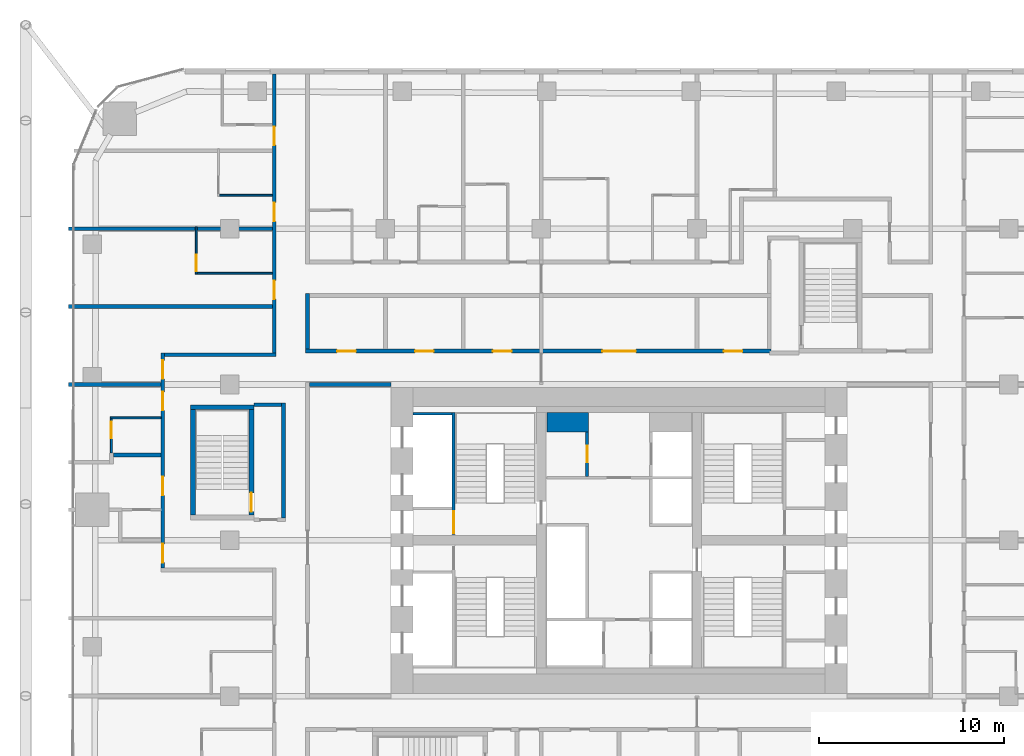
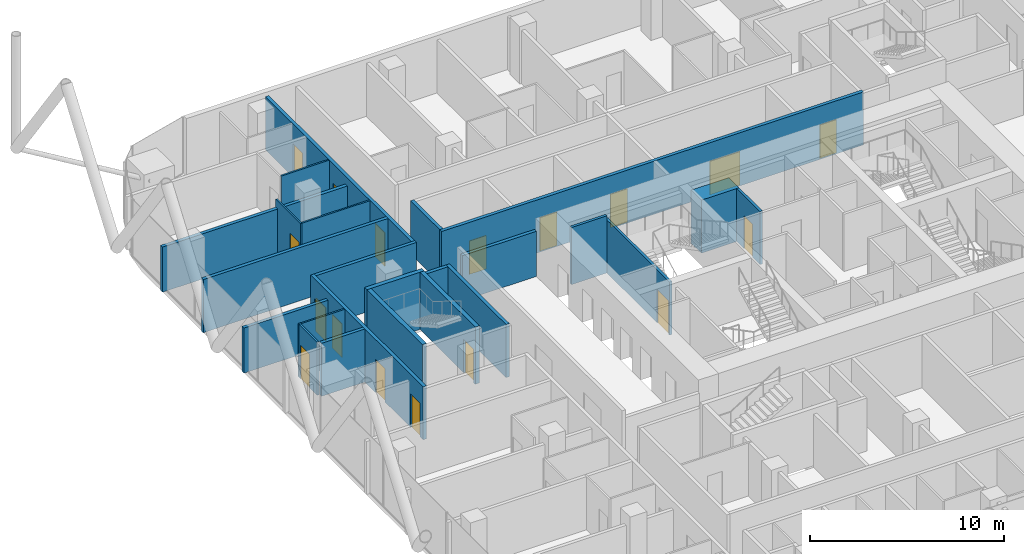
# One storey, part 29 of 35: 24 walls, 17 doors, 17 openings.
"""IFC4 building model written with IfcOpenShell, lengths in metres."""

from ifc_helpers import new_model, si_unit, direction, frame, frame_2d, origin, place, context, subcontext, project, spatial, rectangle, extrude, material, layer, layer_set, type_object, element, fill, save


model = new_model("IFC4")

# Units and contexts
model_context = context("Model", 3, precision=1e-05, world=origin(), true_north=direction((0.0, 1.0)))
body_context = subcontext(model_context, "Body", "Model", "MODEL_VIEW")
ifc_project = project(units=[si_unit("LENGTHUNIT", "METRE"), si_unit("AREAUNIT", "SQUARE_METRE"), si_unit("VOLUMEUNIT", "CUBIC_METRE"), si_unit("PLANEANGLEUNIT", "RADIAN"), si_unit("MASSUNIT", "GRAM", prefix="KILO")], contexts=[model_context])

# Site, building, storey
site_placement = place(None, origin())
site = spatial("IfcSite", under=ifc_project, at=site_placement, CompositionType="ELEMENT")
building_placement = place(site_placement, origin())
building = spatial("IfcBuilding", under=site, at=building_placement, Name="Marenta Gate Hotel Tower", CompositionType="ELEMENT")
storey_placement = place(building_placement, frame((0.0, 0.0, 61.699951171875)))
storey = spatial("IfcBuildingStorey", under=building, at=storey_placement, Name="L13", CompositionType="ELEMENT", Elevation=61.699951171875)

# Walls
ifc_material_1 = material(Name="Concrete blockwork", Category="masonry")
ifc_layer_1 = layer(ifc_material_1, 0.199951171875)
ifc_layer_set_1 = layer_set([ifc_layer_1], Name="Concrete blockwork")
wall_type_1 = type_object("IfcWallType", Name="Core boundary wall 200 REI 180", PredefinedType="PARTITIONING", material=ifc_layer_set_1)
wall_1_placement = place(storey_placement, frame((-16.699951171875, 16.800048828125, 0.0), z_axis=(0.0, 0.0, 1.0), x_axis=(1.0, 0.0, 0.0)))
element("IfcWall", 1, at=wall_1_placement, inside=storey, type_object=wall_type_1, Name="L13-CP-EW-WN", PredefinedType="PARTITIONING", context=body_context, shape_type="SweptSolid", body=[
    extrude(rectangle(XDim=4.39990234375, YDim=0.199951171875, at=frame_2d((2.199951171875, 0.0))), origin(), (0.0, 0.0, 1.0), 2.840087890625),
])
ifc_material_2 = material(Name="Concrete blockwork", Category="masonry")
ifc_layer_2 = layer(ifc_material_2, 1.050048828125)
ifc_layer_set_2 = layer_set([ifc_layer_2], Name="Concrete blockwork")
wall_type_2 = type_object("IfcWallType", Name="Core room partition 1050 REI 180", PredefinedType="PARTITIONING", material=ifc_layer_set_2)
wall_2_placement = place(storey_placement, frame((-3.89990234375, 14.77490234375, 0.0), z_axis=(0.0, 0.0, 1.0), x_axis=(1.0, 0.0, 0.0)))
element("IfcWall", 2, at=wall_2_placement, inside=storey, type_object=wall_type_2, Name="L13-CP-CW-W-riser-N", PredefinedType="PARTITIONING", context=body_context, shape_type="SweptSolid", body=[
    extrude(rectangle(XDim=2.25, YDim=1.050048828125, at=frame_2d((1.125, 0.0))), origin(), (0.0, 0.0, 1.0), 3.340087890625),
])

# Wall, opening, door
ifc_material_3 = material(Name="Concrete blockwork", Category="masonry")
ifc_layer_3 = layer(ifc_material_3, 0.14990234375)
ifc_layer_set_3 = layer_set([ifc_layer_3], Name="Concrete blockwork")
wall_type_3 = type_object("IfcWallType", Name="Core room partition 150 REI 180", PredefinedType="PARTITIONING", material=ifc_layer_set_3)
wall_3_placement = place(storey_placement, frame((-1.72509765625, 11.85009765625, 0.0), z_axis=(0.0, 0.0, 1.0), x_axis=(0.0, 1.0, 0.0)))
wall_3 = element("IfcWall", 3, at=wall_3_placement, inside=storey, type_object=wall_type_3, Name="L13-CP-CW-W-riser-front", PredefinedType="PARTITIONING", context=body_context, shape_type="SweptSolid", body=[
    extrude(rectangle(XDim=2.39990234375, YDim=0.14990234375, at=frame_2d((1.199951171875, 0.0))), origin(), (0.0, 0.0, 1.0), 3.340087890625),
])
opening_1_placement = place(wall_3_placement, frame((0.75, 0.0, 0.0)))
opening_1 = element("IfcOpeningElement", 4, at=opening_1_placement, cuts=wall_3, Name="Opening RD-CRISER", PredefinedType="OPENING", context=body_context, shape_type="SweptSolid", body=[
    extrude(rectangle(XDim=0.89990234375, YDim=2.10009765625, at=frame_2d((0.449951171875, 1.050048828125))), frame((0.0, 0.074951171875, 0.0), z_axis=(0.0, -1.0, 0.0), x_axis=(1.0, 0.0, 0.0)), (0.0, 0.0, 1.0), 0.14990234375),
])
ifc_material_4 = material(Name="Steel", Category="steel")
door_type_1 = type_object("IfcDoorType", Name="Core riser door 900x2100 FD60", OperationType="SINGLE_SWING_LEFT", PredefinedType="DOOR", material=ifc_material_4)
door_1_placement = place(opening_1_placement, origin())
door_1 = element("IfcDoor", 5, at=door_1_placement, inside=storey, type_object=door_type_1, Name="RD-CRISER", OperationType="SINGLE_SWING_LEFT", OverallHeight=2.10009765625, OverallWidth=0.89990234375, PredefinedType="DOOR", context=body_context, shape_type="SweptSolid", body=[
    extrude(rectangle(XDim=0.89990234375, YDim=2.10009765625, at=frame_2d((0.449951171875, 1.050048828125))), frame((0.0, 0.02490234375, 0.0), z_axis=(0.0, -1.0, 0.0), x_axis=(1.0, 0.0, 0.0)), (0.0, 0.0, 1.0), 0.050048828125),
])
fill(opening_1, door_1)

# Wall
ifc_material_5 = material(Name="Concrete C40", Category="concrete")
ifc_layer_4 = layer(ifc_material_5, 0.14990234375)
ifc_layer_set_4 = layer_set([ifc_layer_4], Name="Concrete C40")
wall_type_4 = type_object("IfcWallType", Name="Core shaft wall 150 REI 180", PredefinedType="SHEAR", material=ifc_layer_set_4)
wall_4_placement = place(storey_placement, frame((-11.10009765625, 15.22509765625, 0.0), z_axis=(0.0, 0.0, 1.0), x_axis=(1.0, 0.0, 0.0)))
element("IfcWall", 6, at=wall_4_placement, inside=storey, type_object=wall_type_4, Name="L13-SHF-SW-WN-5", PredefinedType="SHEAR", context=body_context, shape_type="SweptSolid", body=[
    extrude(rectangle(XDim=2.10009765625, YDim=0.14990234375, at=frame_2d((1.050048828125, 0.0))), origin(), (0.0, 0.0, 1.0), 3.60009765625),
])

# Wall, opening, door
ifc_material_6 = material(Name="Concrete C40", Category="concrete")
ifc_layer_5 = layer(ifc_material_6, 0.14990234375)
ifc_layer_set_5 = layer_set([ifc_layer_5], Name="Concrete C40")
wall_type_5 = type_object("IfcWallType", Name="Core stair enclosure wall 150 REI 180", PredefinedType="SHEAR", material=ifc_layer_set_5)
wall_5_placement = place(storey_placement, frame((-8.925048828125, 8.699951171875, 0.0), z_axis=(0.0, 0.0, 1.0), x_axis=(0.0, 1.0, 0.0)))
wall_5 = element("IfcWall", 7, at=wall_5_placement, inside=storey, type_object=wall_type_5, Name="L13-SHF-SW-WN-3", PredefinedType="SHEAR", context=body_context, shape_type="SweptSolid", body=[
    extrude(rectangle(XDim=6.60009765625, YDim=0.14990234375, at=frame_2d((3.300048828125, 0.0))), origin(), (0.0, 0.0, 1.0), 3.340087890625),
])
opening_2_placement = place(wall_5_placement, frame((0.074951171875, 0.0, 0.0)))
opening_2 = element("IfcOpeningElement", 8, at=opening_2_placement, cuts=wall_5, Name="Opening SD-WN", PredefinedType="OPENING", context=body_context, shape_type="SweptSolid", body=[
    extrude(rectangle(XDim=1.199951171875, YDim=2.10009765625, at=frame_2d((0.60009765625, 1.050048828125))), frame((0.0, 0.074951171875, 0.0), z_axis=(0.0, -1.0, 0.0), x_axis=(1.0, 0.0, 0.0)), (0.0, 0.0, 1.0), 0.14990234375),
])
ifc_material_7 = material(Name="Steel", Category="steel")
door_type_2 = type_object("IfcDoorType", Name="Core stair door 1200x2100 FD60", OperationType="SINGLE_SWING_LEFT", PredefinedType="DOOR", material=ifc_material_7)
door_2_placement = place(opening_2_placement, origin())
door_2 = element("IfcDoor", 9, at=door_2_placement, inside=storey, type_object=door_type_2, Name="SD-WN", OperationType="SINGLE_SWING_LEFT", OverallHeight=2.10009765625, OverallWidth=1.199951171875, PredefinedType="DOOR", context=body_context, shape_type="SweptSolid", body=[
    extrude(rectangle(XDim=1.199951171875, YDim=2.10009765625, at=frame_2d((0.60009765625, 1.050048828125))), frame((0.0, 0.02490234375, 0.0), z_axis=(0.0, -1.0, 0.0), x_axis=(1.0, 0.0, 0.0)), (0.0, 0.0, 1.0), 0.050048828125),
])
fill(opening_2, door_2)

# Walls
ifc_material_8 = material(Name="Concrete C40", Category="concrete")
ifc_layer_6 = layer(ifc_material_8, 0.25)
ifc_layer_set_6 = layer_set([ifc_layer_6], Name="Concrete C40")
wall_type_6 = type_object("IfcWallType", Name="Remote stair enclosure wall 250 REI 180", PredefinedType="SHEAR", material=ifc_layer_set_6)
wall_6_placement = place(storey_placement, frame((-23.10009765625, 15.574951171875, 0.10009765625), z_axis=(0.0, 0.0, 1.0), x_axis=(1.0, 0.0, 0.0)))
element("IfcWall", 10, at=wall_6_placement, inside=storey, type_object=wall_type_6, Name="L13-RS-Z1-3-W2", PredefinedType="SHEAR", context=body_context, shape_type="SweptSolid", body=[
    extrude(rectangle(XDim=3.400146484375, YDim=0.25, at=frame_2d((1.7001953125, 0.0))), origin(), (0.0, 0.0, 1.0), 3.599853515625),
])
wall_7_placement = place(storey_placement, frame((-22.97509765625, 9.75, 0.10009765625), z_axis=(0.0, 0.0, 1.0), x_axis=(0.0, 1.0, 0.0)))
element("IfcWall", 11, at=wall_7_placement, inside=storey, type_object=wall_type_6, Name="L13-RS-Z1-3-W3", PredefinedType="SHEAR", context=body_context, shape_type="SweptSolid", body=[
    extrude(rectangle(XDim=5.699951171875, YDim=0.25, at=frame_2d((2.85009765625, 0.0))), origin(), (0.0, 0.0, 1.0), 3.599853515625),
])

# Wall, opening, door
wall_8_placement = place(storey_placement, frame((-19.824951171875, 9.75, 0.10009765625), z_axis=(0.0, 0.0, 1.0), x_axis=(0.0, 1.0, 0.0)))
wall_8 = element("IfcWall", 12, at=wall_8_placement, inside=storey, type_object=wall_type_6, Name="L13-RS-Z1-3-W4", PredefinedType="SHEAR", context=body_context, shape_type="SweptSolid", body=[
    extrude(rectangle(XDim=5.699951171875, YDim=0.25, at=frame_2d((2.85009765625, 0.0))), origin(), (0.0, 0.0, 1.0), 3.599853515625),
])
opening_3_placement = place(wall_8_placement, frame((0.199951171875, 0.0, 0.0)))
opening_3 = element("IfcOpeningElement", 13, at=opening_3_placement, cuts=wall_8, Name="Opening VD", PredefinedType="OPENING", context=body_context, shape_type="SweptSolid", body=[
    extrude(rectangle(XDim=1.0, YDim=2.10009765625, at=frame_2d((0.5, 1.050048828125))), frame((0.0, 0.125, 0.0), z_axis=(0.0, -1.0, 0.0), x_axis=(1.0, 0.0, 0.0)), (0.0, 0.0, 1.0), 0.25),
])
ifc_material_9 = material(Name="Steel", Category="steel")
door_type_3 = type_object("IfcDoorType", Name="Stair vestibule door 1000x2100 FD60", OperationType="SINGLE_SWING_LEFT", PredefinedType="DOOR", material=ifc_material_9)
door_3_placement = place(opening_3_placement, origin())
door_3 = element("IfcDoor", 14, at=door_3_placement, inside=storey, type_object=door_type_3, Name="VD", OperationType="SINGLE_SWING_LEFT", OverallHeight=2.10009765625, OverallWidth=1.0, PredefinedType="DOOR", context=body_context, shape_type="SweptSolid", body=[
    extrude(rectangle(XDim=1.0, YDim=2.10009765625, at=frame_2d((0.5, 1.050048828125))), frame((0.0, 0.02490234375, 0.0), z_axis=(0.0, -1.0, 0.0), x_axis=(1.0, 0.0, 0.0)), (0.0, 0.0, 1.0), 0.050048828125),
])
fill(opening_3, door_3)

# Wall
ifc_material_10 = material(Name="Concrete blockwork", Category="masonry")
ifc_layer_7 = layer(ifc_material_10, 0.199951171875)
ifc_layer_set_7 = layer_set([ifc_layer_7], Name="Concrete blockwork")
wall_type_7 = type_object("IfcWallType", Name="Room corridor wall 200 EI 120", PredefinedType="PARTITIONING", material=ifc_layer_set_7)
wall_9_placement = place(storey_placement, frame((-16.800048828125, 18.699951171875, 0.0), z_axis=(0.0, 0.0, 1.0), x_axis=(0.0, 1.0, 0.0)))
element("IfcWall", 15, at=wall_9_placement, inside=storey, type_object=wall_type_7, Name="L13-PTN-W111", PredefinedType="PARTITIONING", context=body_context, shape_type="SweptSolid", body=[
    extrude(rectangle(XDim=3.0, YDim=0.199951171875, at=frame_2d((1.5, 0.0))), origin(), (0.0, 0.0, 1.0), 3.340087890625),
])

# Wall, openings, doors
wall_10_placement = place(storey_placement, frame((-16.89990234375, 18.60009765625, 0.0), z_axis=(0.0, 0.0, 1.0), x_axis=(1.0, 0.0, 0.0)))
wall_10 = element("IfcWall", 16, at=wall_10_placement, inside=storey, type_object=wall_type_7, Name="L13-PTN-W120", PredefinedType="PARTITIONING", context=body_context, shape_type="SweptSolid", body=[
    extrude(rectangle(XDim=25.099853515625, YDim=0.199951171875, at=frame_2d((12.5498046875, 0.0))), origin(), (0.0, 0.0, 1.0), 3.340087890625),
])
opening_4_placement = place(wall_10_placement, frame((1.699951171875, 0.0, 0.0)))
opening_4 = element("IfcOpeningElement", 17, at=opening_4_placement, cuts=wall_10, Name="Opening G04-01", PredefinedType="OPENING", context=body_context, shape_type="SweptSolid", body=[
    extrude(rectangle(XDim=1.0, YDim=2.10009765625, at=frame_2d((0.5, 1.050048828125))), frame((0.0, 0.10009765625, 0.0), z_axis=(0.0, -1.0, 0.0), x_axis=(1.0, 0.0, 0.0)), (0.0, 0.0, 1.0), 0.199951171875),
])
opening_5_placement = place(wall_10_placement, frame((16.0, 0.0, 0.0)))
opening_5 = element("IfcOpeningElement", 18, at=opening_5_placement, cuts=wall_10, Name="Opening G04-02", PredefinedType="OPENING", context=body_context, shape_type="SweptSolid", body=[
    extrude(rectangle(XDim=1.800048828125, YDim=2.10009765625, at=frame_2d((0.89990234375, 1.050048828125))), frame((0.0, 0.10009765625, 0.0), z_axis=(0.0, -1.0, 0.0), x_axis=(1.0, 0.0, 0.0)), (0.0, 0.0, 1.0), 0.199951171875),
])
opening_6_placement = place(wall_10_placement, frame((22.550048828125, 0.0, 0.0)))
opening_6 = element("IfcOpeningElement", 19, at=opening_6_placement, cuts=wall_10, Name="Opening G04-03", PredefinedType="OPENING", context=body_context, shape_type="SweptSolid", body=[
    extrude(rectangle(XDim=1.0, YDim=2.10009765625, at=frame_2d((0.5, 1.050048828125))), frame((0.0, 0.10009765625, 0.0), z_axis=(0.0, -1.0, 0.0), x_axis=(1.0, 0.0, 0.0)), (0.0, 0.0, 1.0), 0.199951171875),
])
opening_7_placement = place(wall_10_placement, frame((5.89990234375, 0.0, 0.0)))
opening_7 = element("IfcOpeningElement", 20, at=opening_7_placement, cuts=wall_10, Name="Opening G04-78", PredefinedType="OPENING", context=body_context, shape_type="SweptSolid", body=[
    extrude(rectangle(XDim=1.0, YDim=2.10009765625, at=frame_2d((0.5, 1.050048828125))), frame((0.0, 0.10009765625, 0.0), z_axis=(0.0, -1.0, 0.0), x_axis=(1.0, 0.0, 0.0)), (0.0, 0.0, 1.0), 0.199951171875),
])
opening_8_placement = place(wall_10_placement, frame((10.10009765625, 0.0, 0.0)))
opening_8 = element("IfcOpeningElement", 21, at=opening_8_placement, cuts=wall_10, Name="Opening G04-79", PredefinedType="OPENING", context=body_context, shape_type="SweptSolid", body=[
    extrude(rectangle(XDim=1.0, YDim=2.10009765625, at=frame_2d((0.5, 1.050048828125))), frame((0.0, 0.10009765625, 0.0), z_axis=(0.0, -1.0, 0.0), x_axis=(1.0, 0.0, 0.0)), (0.0, 0.0, 1.0), 0.199951171875),
])
ifc_material_11 = material(Name="Timber door leaf", Category="wood")
door_type_4 = type_object("IfcDoorType", Name="Room amenity door 1000x2100 EI 60", OperationType="NOTDEFINED", PredefinedType="DOOR", material=ifc_material_11)
door_4_placement = place(opening_6_placement, origin())
door_4 = element("IfcDoor", 22, at=door_4_placement, inside=storey, type_object=door_type_4, Name="L13-PD-D003", OperationType="SINGLE_SWING_LEFT", OverallHeight=2.10009765625, OverallWidth=1.0, PredefinedType="DOOR", context=body_context, shape_type="SweptSolid", body=[
    extrude(rectangle(XDim=1.0, YDim=2.10009765625, at=frame_2d((0.5, 1.050048828125))), frame((0.0, 0.02490234375, 0.0), z_axis=(0.0, -1.0, 0.0), x_axis=(1.0, 0.0, 0.0)), (0.0, 0.0, 1.0), 0.050048828125),
])
fill(opening_6, door_4)
door_5_placement = place(opening_7_placement, origin())
door_5 = element("IfcDoor", 23, at=door_5_placement, inside=storey, type_object=door_type_4, Name="L13-PD-D078", OperationType="SINGLE_SWING_RIGHT", OverallHeight=2.10009765625, OverallWidth=1.0, PredefinedType="DOOR", context=body_context, shape_type="SweptSolid", body=[
    extrude(rectangle(XDim=1.0, YDim=2.10009765625, at=frame_2d((0.5, 1.050048828125))), frame((0.0, 0.02490234375, 0.0), z_axis=(0.0, -1.0, 0.0), x_axis=(1.0, 0.0, 0.0)), (0.0, 0.0, 1.0), 0.050048828125),
])
fill(opening_7, door_5)
door_6_placement = place(opening_8_placement, origin())
door_6 = element("IfcDoor", 24, at=door_6_placement, inside=storey, type_object=door_type_4, Name="L13-PD-D079", OperationType="SINGLE_SWING_LEFT", OverallHeight=2.10009765625, OverallWidth=1.0, PredefinedType="DOOR", context=body_context, shape_type="SweptSolid", body=[
    extrude(rectangle(XDim=1.0, YDim=2.10009765625, at=frame_2d((0.5, 1.050048828125))), frame((0.0, 0.02490234375, 0.0), z_axis=(0.0, -1.0, 0.0), x_axis=(1.0, 0.0, 0.0)), (0.0, 0.0, 1.0), 0.050048828125),
])
fill(opening_8, door_6)
ifc_material_12 = material(Name="Timber door leaf", Category="wood")
door_type_5 = type_object("IfcDoorType", Name="Room amenity door 1800x2100 EI 60", OperationType="DOUBLE_DOOR_SINGLE_SWING", PredefinedType="DOOR", material=ifc_material_12)
door_7_placement = place(opening_5_placement, origin())
door_7 = element("IfcDoor", 25, at=door_7_placement, inside=storey, type_object=door_type_5, Name="L13-PD-D002", OperationType="DOUBLE_DOOR_SINGLE_SWING", OverallHeight=2.10009765625, OverallWidth=1.800048828125, PredefinedType="DOOR", context=body_context, shape_type="SweptSolid", body=[
    extrude(rectangle(XDim=1.800048828125, YDim=2.10009765625, at=frame_2d((0.89990234375, 1.050048828125))), frame((0.0, 0.02490234375, 0.0), z_axis=(0.0, -1.0, 0.0), x_axis=(1.0, 0.0, 0.0)), (0.0, 0.0, 1.0), 0.050048828125),
])
fill(opening_5, door_7)
ifc_material_13 = material(Name="Hollow steel door set", Category="steel")
door_type_6 = type_object("IfcDoorType", Name="Room service door 1000x2100 EI 60", OperationType="NOTDEFINED", PredefinedType="DOOR", material=ifc_material_13)
door_8_placement = place(opening_4_placement, origin())
door_8 = element("IfcDoor", 26, at=door_8_placement, inside=storey, type_object=door_type_6, Name="L13-PD-D001", OperationType="SINGLE_SWING_RIGHT", OverallHeight=2.10009765625, OverallWidth=1.0, PredefinedType="DOOR", context=body_context, shape_type="SweptSolid", body=[
    extrude(rectangle(XDim=1.0, YDim=2.10009765625, at=frame_2d((0.5, 1.050048828125))), frame((0.0, 0.02490234375, 0.0), z_axis=(0.0, -1.0, 0.0), x_axis=(1.0, 0.0, 0.0)), (0.0, 0.0, 1.0), 0.050048828125),
])
fill(opening_4, door_8)

# Wall
ifc_material_14 = material(Name="Gypsum board on steel stud", Category="steel")
ifc_layer_8 = layer(ifc_material_14, 0.199951171875)
ifc_layer_set_8 = layer_set([ifc_layer_8], Name="Gypsum board on steel stud")
wall_type_8 = type_object("IfcWallType", Name="Room corridor wall 200 EI 60", PredefinedType="PARTITIONING", material=ifc_layer_set_8)
wall_11_placement = place(storey_placement, frame((-24.5, 18.39990234375, 0.0), z_axis=(0.0, 0.0, 1.0), x_axis=(1.0, 0.0, 0.0)))
element("IfcWall", 27, at=wall_11_placement, inside=storey, type_object=wall_type_8, Name="L13-PTN-W116", PredefinedType="PARTITIONING", context=body_context, shape_type="SweptSolid", body=[
    extrude(rectangle(XDim=6.0, YDim=0.199951171875, at=frame_2d((3.0, 0.0))), origin(), (0.0, 0.0, 1.0), 3.340087890625),
])

# Wall, openings, doors
wall_12_placement = place(storey_placement, frame((-18.60009765625, 18.5, 0.0), z_axis=(0.0, 0.0, 1.0), x_axis=(0.0, 1.0, 0.0)))
wall_12 = element("IfcWall", 28, at=wall_12_placement, inside=storey, type_object=wall_type_8, Name="L13-PTN-W119", PredefinedType="PARTITIONING", context=body_context, shape_type="SweptSolid", body=[
    extrude(rectangle(XDim=15.0400390625, YDim=0.199951171875, at=frame_2d((7.52001953125, 0.0))), origin(), (0.0, 0.0, 1.0), 3.340087890625),
])
opening_9_placement = place(wall_12_placement, frame((2.89990234375, 0.0, 0.0)))
opening_9 = element("IfcOpeningElement", 29, at=opening_9_placement, cuts=wall_12, Name="Opening G04-61", PredefinedType="OPENING", context=body_context, shape_type="SweptSolid", body=[
    extrude(rectangle(XDim=1.0, YDim=2.10009765625, at=frame_2d((0.5, 1.050048828125))), frame((0.0, 0.10009765625, 0.0), z_axis=(0.0, -1.0, 0.0), x_axis=(1.0, 0.0, 0.0)), (0.0, 0.0, 1.0), 0.199951171875),
])
opening_10_placement = place(wall_12_placement, frame((7.10009765625, 0.0, 0.0)))
opening_10 = element("IfcOpeningElement", 30, at=opening_10_placement, cuts=wall_12, Name="Opening G04-63", PredefinedType="OPENING", context=body_context, shape_type="SweptSolid", body=[
    extrude(rectangle(XDim=1.0, YDim=2.10009765625, at=frame_2d((0.5, 1.050048828125))), frame((0.0, 0.10009765625, 0.0), z_axis=(0.0, -1.0, 0.0), x_axis=(1.0, 0.0, 0.0)), (0.0, 0.0, 1.0), 0.199951171875),
])
opening_11_placement = place(wall_12_placement, frame((11.199951171875, 0.0, 0.0)))
opening_11 = element("IfcOpeningElement", 31, at=opening_11_placement, cuts=wall_12, Name="Opening G04-65", PredefinedType="OPENING", context=body_context, shape_type="SweptSolid", body=[
    extrude(rectangle(XDim=1.0, YDim=2.10009765625, at=frame_2d((0.5, 1.050048828125))), frame((0.0, 0.10009765625, 0.0), z_axis=(0.0, -1.0, 0.0), x_axis=(1.0, 0.0, 0.0)), (0.0, 0.0, 1.0), 0.199951171875),
])
ifc_material_15 = material(Name="Timber door leaf", Category="wood")
door_type_7 = type_object("IfcDoorType", Name="Guest room door 1000x2100 EI 30", OperationType="NOTDEFINED", PredefinedType="DOOR", material=ifc_material_15)
door_9_placement = place(opening_9_placement, origin())
door_9 = element("IfcDoor", 32, at=door_9_placement, inside=storey, type_object=door_type_7, Name="L13-PD-D061", OperationType="SINGLE_SWING_RIGHT", OverallHeight=2.10009765625, OverallWidth=1.0, PredefinedType="DOOR", context=body_context, shape_type="SweptSolid", body=[
    extrude(rectangle(XDim=1.0, YDim=2.10009765625, at=frame_2d((0.5, 1.050048828125))), frame((0.0, 0.02490234375, 0.0), z_axis=(0.0, -1.0, 0.0), x_axis=(1.0, 0.0, 0.0)), (0.0, 0.0, 1.0), 0.050048828125),
])
fill(opening_9, door_9)
door_10_placement = place(opening_10_placement, origin())
door_10 = element("IfcDoor", 33, at=door_10_placement, inside=storey, type_object=door_type_7, Name="L13-PD-D063", OperationType="SINGLE_SWING_RIGHT", OverallHeight=2.10009765625, OverallWidth=1.0, PredefinedType="DOOR", context=body_context, shape_type="SweptSolid", body=[
    extrude(rectangle(XDim=1.0, YDim=2.10009765625, at=frame_2d((0.5, 1.050048828125))), frame((0.0, 0.02490234375, 0.0), z_axis=(0.0, -1.0, 0.0), x_axis=(1.0, 0.0, 0.0)), (0.0, 0.0, 1.0), 0.050048828125),
])
fill(opening_10, door_10)
door_11_placement = place(opening_11_placement, origin())
door_11 = element("IfcDoor", 34, at=door_11_placement, inside=storey, type_object=door_type_7, Name="L13-PD-D065", OperationType="SINGLE_SWING_RIGHT", OverallHeight=2.10009765625, OverallWidth=1.0, PredefinedType="DOOR", context=body_context, shape_type="SweptSolid", body=[
    extrude(rectangle(XDim=1.0, YDim=2.10009765625, at=frame_2d((0.5, 1.050048828125))), frame((0.0, 0.02490234375, 0.0), z_axis=(0.0, -1.0, 0.0), x_axis=(1.0, 0.0, 0.0)), (0.0, 0.0, 1.0), 0.050048828125),
])
fill(opening_11, door_11)

wall_13_placement = place(storey_placement, frame((-24.60009765625, 6.89990234375, 0.0), z_axis=(0.0, 0.0, 1.0), x_axis=(0.0, 1.0, 0.0)))
wall_13 = element("IfcWall", 35, at=wall_13_placement, inside=storey, type_object=wall_type_8, Name="L13-PTN-W137", PredefinedType="PARTITIONING", context=body_context, shape_type="SweptSolid", body=[
    extrude(rectangle(XDim=11.60009765625, YDim=0.199951171875, at=frame_2d((5.800048828125, 0.0))), origin(), (0.0, 0.0, 1.0), 3.340087890625),
])
opening_12_placement = place(wall_13_placement, frame((8.5, 0.0, 0.0)))
opening_12 = element("IfcOpeningElement", 36, at=opening_12_placement, cuts=wall_13, Name="Opening G04-59", PredefinedType="OPENING", context=body_context, shape_type="SweptSolid", body=[
    extrude(rectangle(XDim=1.0, YDim=2.10009765625, at=frame_2d((0.5, 1.050048828125))), frame((0.0, 0.10009765625, 0.0), z_axis=(0.0, -1.0, 0.0), x_axis=(1.0, 0.0, 0.0)), (0.0, 0.0, 1.0), 0.199951171875),
])
opening_13_placement = place(wall_13_placement, frame((10.199951171875, 0.0, 0.0)))
opening_13 = element("IfcOpeningElement", 37, at=opening_13_placement, cuts=wall_13, Name="Opening G04-73", PredefinedType="OPENING", context=body_context, shape_type="SweptSolid", body=[
    extrude(rectangle(XDim=1.0, YDim=2.10009765625, at=frame_2d((0.5, 1.050048828125))), frame((0.0, 0.10009765625, 0.0), z_axis=(0.0, -1.0, 0.0), x_axis=(1.0, 0.0, 0.0)), (0.0, 0.0, 1.0), 0.199951171875),
])
opening_14_placement = place(wall_13_placement, frame((0.300048828125, 0.0, 0.0)))
opening_14 = element("IfcOpeningElement", 38, at=opening_14_placement, cuts=wall_13, Name="Opening G04-74", PredefinedType="OPENING", context=body_context, shape_type="SweptSolid", body=[
    extrude(rectangle(XDim=1.0, YDim=2.10009765625, at=frame_2d((0.5, 1.050048828125))), frame((0.0, 0.10009765625, 0.0), z_axis=(0.0, -1.0, 0.0), x_axis=(1.0, 0.0, 0.0)), (0.0, 0.0, 1.0), 0.199951171875),
])
opening_15_placement = place(wall_13_placement, frame((3.925048828125, 0.0, 0.0)))
opening_15 = element("IfcOpeningElement", 39, at=opening_15_placement, cuts=wall_13, Name="Opening G04-86", PredefinedType="OPENING", context=body_context, shape_type="SweptSolid", body=[
    extrude(rectangle(XDim=1.0, YDim=2.10009765625, at=frame_2d((0.5, 1.050048828125))), frame((0.0, 0.10009765625, 0.0), z_axis=(0.0, -1.0, 0.0), x_axis=(1.0, 0.0, 0.0)), (0.0, 0.0, 1.0), 0.199951171875),
])
door_12_placement = place(opening_12_placement, origin())
door_12 = element("IfcDoor", 40, at=door_12_placement, inside=storey, type_object=door_type_7, Name="L13-PD-D059", OperationType="SINGLE_SWING_RIGHT", OverallHeight=2.10009765625, OverallWidth=1.0, PredefinedType="DOOR", context=body_context, shape_type="SweptSolid", body=[
    extrude(rectangle(XDim=1.0, YDim=2.10009765625, at=frame_2d((0.5, 1.050048828125))), frame((0.0, 0.02490234375, 0.0), z_axis=(0.0, -1.0, 0.0), x_axis=(1.0, 0.0, 0.0)), (0.0, 0.0, 1.0), 0.050048828125),
])
fill(opening_12, door_12)
door_13_placement = place(opening_15_placement, origin())
door_13 = element("IfcDoor", 41, at=door_13_placement, inside=storey, type_object=door_type_7, Name="L13-PD-D086", OperationType="SINGLE_SWING_LEFT", OverallHeight=2.10009765625, OverallWidth=1.0, PredefinedType="DOOR", context=body_context, shape_type="SweptSolid", body=[
    extrude(rectangle(XDim=1.0, YDim=2.10009765625, at=frame_2d((0.5, 1.050048828125))), frame((0.0, 0.02490234375, 0.0), z_axis=(0.0, -1.0, 0.0), x_axis=(1.0, 0.0, 0.0)), (0.0, 0.0, 1.0), 0.050048828125),
])
fill(opening_15, door_13)
ifc_material_16 = material(Name="Timber door leaf", Category="wood")
door_type_8 = type_object("IfcDoorType", Name="Room amenity door 1000x2100 EI 30", OperationType="NOTDEFINED", PredefinedType="DOOR", material=ifc_material_16)
door_14_placement = place(opening_13_placement, origin())
door_14 = element("IfcDoor", 42, at=door_14_placement, inside=storey, type_object=door_type_8, Name="L13-PD-D073", OperationType="SINGLE_SWING_LEFT", OverallHeight=2.10009765625, OverallWidth=1.0, PredefinedType="DOOR", context=body_context, shape_type="SweptSolid", body=[
    extrude(rectangle(XDim=1.0, YDim=2.10009765625, at=frame_2d((0.5, 1.050048828125))), frame((0.0, 0.02490234375, 0.0), z_axis=(0.0, -1.0, 0.0), x_axis=(1.0, 0.0, 0.0)), (0.0, 0.0, 1.0), 0.050048828125),
])
fill(opening_13, door_14)
door_15_placement = place(opening_14_placement, origin())
door_15 = element("IfcDoor", 43, at=door_15_placement, inside=storey, type_object=door_type_8, Name="L13-PD-D074", OperationType="SINGLE_SWING_LEFT", OverallHeight=2.10009765625, OverallWidth=1.0, PredefinedType="DOOR", context=body_context, shape_type="SweptSolid", body=[
    extrude(rectangle(XDim=1.0, YDim=2.10009765625, at=frame_2d((0.5, 1.050048828125))), frame((0.0, 0.02490234375, 0.0), z_axis=(0.0, -1.0, 0.0), x_axis=(1.0, 0.0, 0.0)), (0.0, 0.0, 1.0), 0.050048828125),
])
fill(opening_14, door_15)

# Walls
ifc_material_17 = material(Name="Concrete blockwork", Category="masonry")
ifc_layer_9 = layer(ifc_material_17, 0.199951171875)
ifc_layer_set_9 = layer_set([ifc_layer_9], Name="Concrete blockwork")
wall_type_9 = type_object("IfcWallType", Name="Room corridor wall 200 REI 180", PredefinedType="PARTITIONING", material=ifc_layer_set_9)
wall_14_placement = place(storey_placement, frame((-19.699951171875, 15.699951171875, 0.0), z_axis=(0.0, 0.0, 1.0), x_axis=(1.0, 0.0, 0.0)))
element("IfcWall", 44, at=wall_14_placement, inside=storey, type_object=wall_type_9, Name="L13-PTN-W108", PredefinedType="PARTITIONING", context=body_context, shape_type="SweptSolid", body=[
    extrude(rectangle(XDim=1.5, YDim=0.199951171875, at=frame_2d((0.75, 0.0))), origin(), (0.0, 0.0, 1.0), 3.340087890625),
])
wall_15_placement = place(storey_placement, frame((-18.10009765625, 9.60009765625, 0.0), z_axis=(0.0, 0.0, 1.0), x_axis=(0.0, 1.0, 0.0)))
element("IfcWall", 45, at=wall_15_placement, inside=storey, type_object=wall_type_9, Name="L13-PTN-W115", PredefinedType="PARTITIONING", context=body_context, shape_type="SweptSolid", body=[
    extrude(rectangle(XDim=6.199951171875, YDim=0.199951171875, at=frame_2d((3.10009765625, 0.0))), origin(), (0.0, 0.0, 1.0), 3.340087890625),
])
ifc_material_18 = material(Name="Gypsum board on steel stud", Category="steel")
ifc_layer_10 = layer(ifc_material_18, 0.10009765625)
ifc_layer_set_10 = layer_set([ifc_layer_10], Name="Gypsum board on steel stud")
wall_type_10 = type_object("IfcWallType", Name="Room partition 100", PredefinedType="PARTITIONING", material=ifc_layer_set_10)
wall_16_placement = place(storey_placement, frame((-27.425048828125, 15.0, 0.0), z_axis=(0.0, 0.0, 1.0), x_axis=(1.0, 0.0, 0.0)))
element("IfcWall", 46, at=wall_16_placement, inside=storey, type_object=wall_type_10, Name="L13-PTN-W105", PredefinedType="PARTITIONING", context=body_context, shape_type="SweptSolid", body=[
    extrude(rectangle(XDim=2.72509765625, YDim=0.10009765625, at=frame_2d((1.362548828125, 0.0))), origin(), (0.0, 0.0, 1.0), 3.340087890625),
])

# Wall, opening, door
wall_17_placement = place(storey_placement, frame((-22.800048828125, 22.75, 0.0), z_axis=(0.0, 0.0, 1.0), x_axis=(0.0, 1.0, 0.0)))
wall_17 = element("IfcWall", 47, at=wall_17_placement, inside=storey, type_object=wall_type_10, Name="L13-PTN-W132", PredefinedType="PARTITIONING", context=body_context, shape_type="SweptSolid", body=[
    extrude(rectangle(XDim=2.550048828125, YDim=0.10009765625, at=frame_2d((1.27490234375, 0.0))), origin(), (0.0, 0.0, 1.0), 3.340087890625),
])
opening_16_placement = place(wall_17_placement, frame((0.14990234375, 0.0, 0.0)))
opening_16 = element("IfcOpeningElement", 48, at=opening_16_placement, cuts=wall_17, Name="Opening G04-62", PredefinedType="OPENING", context=body_context, shape_type="SweptSolid", body=[
    extrude(rectangle(XDim=0.89990234375, YDim=2.10009765625, at=frame_2d((0.449951171875, 1.050048828125))), frame((0.0, 0.050048828125, 0.0), z_axis=(0.0, -1.0, 0.0), x_axis=(1.0, 0.0, 0.0)), (0.0, 0.0, 1.0), 0.10009765625),
])
ifc_material_19 = material(Name="Timber door leaf", Category="wood")
door_type_9 = type_object("IfcDoorType", Name="Guest bathroom door 900x2100", OperationType="NOTDEFINED", PredefinedType="DOOR", material=ifc_material_19)
door_16_placement = place(opening_16_placement, origin())
door_16 = element("IfcDoor", 49, at=door_16_placement, inside=storey, type_object=door_type_9, Name="L13-PD-D062", OperationType="SINGLE_SWING_RIGHT", OverallHeight=2.10009765625, OverallWidth=0.89990234375, PredefinedType="DOOR", context=body_context, shape_type="SweptSolid", body=[
    extrude(rectangle(XDim=0.89990234375, YDim=2.10009765625, at=frame_2d((0.449951171875, 1.050048828125))), frame((0.0, 0.02490234375, 0.0), z_axis=(0.0, -1.0, 0.0), x_axis=(1.0, 0.0, 0.0)), (0.0, 0.0, 1.0), 0.050048828125),
])
fill(opening_16, door_16)

# Walls
wall_18_placement = place(storey_placement, frame((-22.75, 22.800048828125, 0.0), z_axis=(0.0, 0.0, 1.0), x_axis=(1.0, 0.0, 0.0)))
element("IfcWall", 50, at=wall_18_placement, inside=storey, type_object=wall_type_10, Name="L13-PTN-W133", PredefinedType="PARTITIONING", context=body_context, shape_type="SweptSolid", body=[
    extrude(rectangle(XDim=4.050048828125, YDim=0.10009765625, at=frame_2d((2.02490234375, 0.0))), origin(), (0.0, 0.0, 1.0), 3.340087890625),
])
wall_19_placement = place(storey_placement, frame((-21.550048828125, 27.0, 0.0), z_axis=(0.0, 0.0, 1.0), x_axis=(1.0, 0.0, 0.0)))
element("IfcWall", 51, at=wall_19_placement, inside=storey, type_object=wall_type_10, Name="L13-PTN-W145", PredefinedType="PARTITIONING", context=body_context, shape_type="SweptSolid", body=[
    extrude(rectangle(XDim=2.85009765625, YDim=0.10009765625, at=frame_2d((1.425048828125, 0.0))), origin(), (0.0, 0.0, 1.0), 3.340087890625),
])

# Wall, opening, door
wall_20_placement = place(storey_placement, frame((-27.375, 13.10009765625, 0.0), z_axis=(0.0, 0.0, 1.0), x_axis=(0.0, 1.0, 0.0)))
wall_20 = element("IfcWall", 52, at=wall_20_placement, inside=storey, type_object=wall_type_10, Name="L13-PTN-W149", PredefinedType="PARTITIONING", context=body_context, shape_type="SweptSolid", body=[
    extrude(rectangle(XDim=1.849853515625, YDim=0.10009765625, at=frame_2d((0.9248046875, 0.0))), origin(), (0.0, 0.0, 1.0), 3.340087890625),
])
opening_17_placement = place(wall_20_placement, frame((0.800048828125, 0.0, 0.0)))
opening_17 = element("IfcOpeningElement", 53, at=opening_17_placement, cuts=wall_20, Name="Opening G04-60", PredefinedType="OPENING", context=body_context, shape_type="SweptSolid", body=[
    extrude(rectangle(XDim=0.89990234375, YDim=2.10009765625, at=frame_2d((0.449951171875, 1.050048828125))), frame((0.0, 0.050048828125, 0.0), z_axis=(0.0, -1.0, 0.0), x_axis=(1.0, 0.0, 0.0)), (0.0, 0.0, 1.0), 0.10009765625),
])
door_17_placement = place(opening_17_placement, origin())
door_17 = element("IfcDoor", 54, at=door_17_placement, inside=storey, type_object=door_type_9, Name="L13-PD-D060", OperationType="SINGLE_SWING_LEFT", OverallHeight=2.10009765625, OverallWidth=0.89990234375, PredefinedType="DOOR", context=body_context, shape_type="SweptSolid", body=[
    extrude(rectangle(XDim=0.89990234375, YDim=2.10009765625, at=frame_2d((0.449951171875, 1.050048828125))), frame((0.0, 0.02490234375, 0.0), z_axis=(0.0, -1.0, 0.0), x_axis=(1.0, 0.0, 0.0)), (0.0, 0.0, 1.0), 0.050048828125),
])
fill(opening_17, door_17)

# Walls
ifc_material_20 = material(Name="Gypsum board on steel stud", Category="steel")
ifc_layer_11 = layer(ifc_material_20, 0.199951171875)
ifc_layer_set_11 = layer_set([ifc_layer_11], Name="Gypsum board on steel stud")
wall_type_11 = type_object("IfcWallType", Name="Room party wall 200 EI 60", PredefinedType="PARTITIONING", material=ifc_layer_set_11)
wall_21_placement = place(storey_placement, frame((-27.27490234375, 13.0, 0.0), z_axis=(0.0, 0.0, 1.0), x_axis=(1.0, 0.0, 0.0)))
element("IfcWall", 55, at=wall_21_placement, inside=storey, type_object=wall_type_11, Name="L13-PTN-W103", PredefinedType="PARTITIONING", context=body_context, shape_type="SweptSolid", body=[
    extrude(rectangle(XDim=2.574951171875, YDim=0.199951171875, at=frame_2d((1.28759765625, 0.0))), origin(), (0.0, 0.0, 1.0), 3.340087890625),
])
wall_22_placement = place(storey_placement, frame((-29.699951171875, 16.800048828125, 0.0), z_axis=(0.0, 0.0, 1.0), x_axis=(1.0, 0.0, 0.0)))
element("IfcWall", 56, at=wall_22_placement, inside=storey, type_object=wall_type_11, Name="L13-PTN-W113", PredefinedType="PARTITIONING", context=body_context, shape_type="SweptSolid", body=[
    extrude(rectangle(XDim=5.0, YDim=0.199951171875, at=frame_2d((2.5, 0.0))), origin(), (0.0, 0.0, 1.0), 2.840087890625),
])
wall_23_placement = place(storey_placement, frame((-29.699951171875, 21.0, 0.0), z_axis=(0.0, 0.0, 1.0), x_axis=(1.0, 0.0, 0.0)))
element("IfcWall", 57, at=wall_23_placement, inside=storey, type_object=wall_type_11, Name="L13-PTN-W123", PredefinedType="PARTITIONING", context=body_context, shape_type="SweptSolid", body=[
    extrude(rectangle(XDim=11.0, YDim=0.199951171875, at=frame_2d((5.5, 0.0))), origin(), (0.0, 0.0, 1.0), 3.340087890625),
])
wall_24_placement = place(storey_placement, frame((-29.699951171875, 25.199951171875, 0.0), z_axis=(0.0, 0.0, 1.0), x_axis=(1.0, 0.0, 0.0)))
element("IfcWall", 58, at=wall_24_placement, inside=storey, type_object=wall_type_11, Name="L13-PTN-W139", PredefinedType="PARTITIONING", context=body_context, shape_type="SweptSolid", body=[
    extrude(rectangle(XDim=11.0, YDim=0.199951171875, at=frame_2d((5.5, 0.0))), origin(), (0.0, 0.0, 1.0), 2.840087890625),
])

save(model, "model.ifc")
